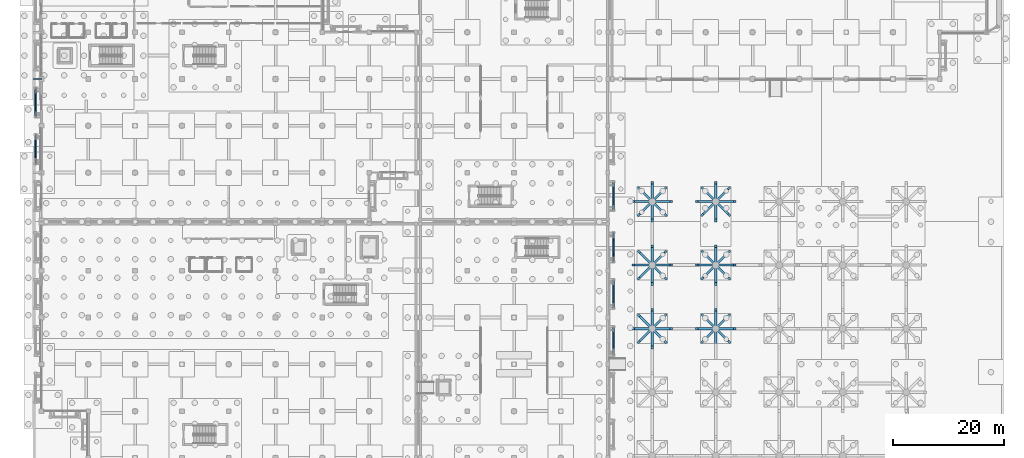
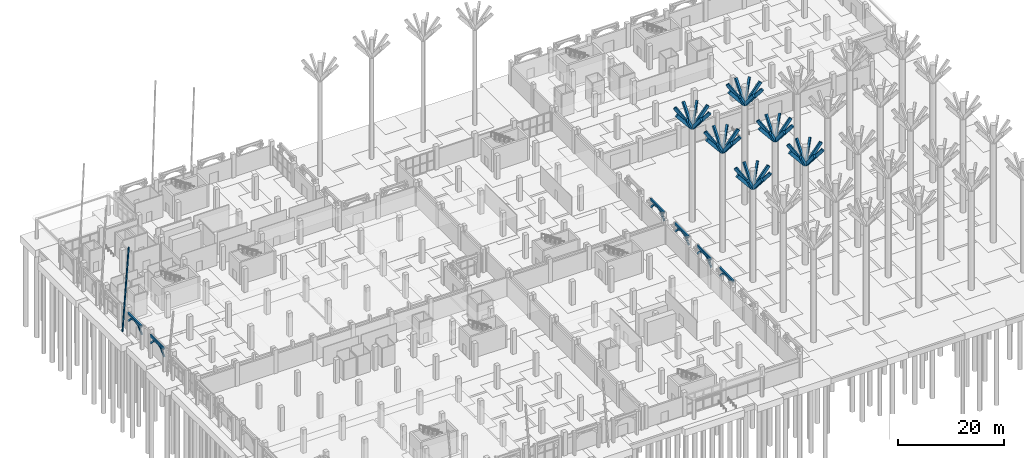
# One storey, part 26 of 98: 72 members, 6 beams.
"""IFC4 building model written with IfcOpenShell, lengths in metres."""

from ifc_helpers import new_model, si_unit, direction, frame, origin, origin_2d, place, context, subcontext, project, spatial, rectangle, hollow_rectangle, extrude, material, material_profile, profile_set, type_object, element, save


model = new_model("IFC4")

# Units and contexts
model_context = context("Model", 3, precision=1e-05, world=origin(), true_north=direction((0.0, 1.0)))
body_context = subcontext(model_context, "Body", "Model", "MODEL_VIEW")
ifc_project = project(units=[si_unit("LENGTHUNIT", "METRE"), si_unit("AREAUNIT", "SQUARE_METRE"), si_unit("VOLUMEUNIT", "CUBIC_METRE"), si_unit("PLANEANGLEUNIT", "RADIAN"), si_unit("MASSUNIT", "GRAM", prefix="KILO")], contexts=[model_context])

# Site, building, storey
site_placement = place(None, origin())
site = spatial("IfcSite", under=ifc_project, at=site_placement, CompositionType="ELEMENT")
building_placement = place(site_placement, origin())
building = spatial("IfcBuilding", under=site, at=building_placement, Name="Xazarin Passage Department Store", CompositionType="ELEMENT")
storey_placement = place(building_placement, origin())
storey = spatial("IfcBuildingStorey", under=building, at=storey_placement, Name="L00", CompositionType="ELEMENT", Elevation=0.0)

# Beams
ifc_material_1 = material(Name="Concrete C35/45", Category="concrete")
ifc_material_profile_1 = material_profile(ifc_material_1, rectangle(XDim=0.300048828125, YDim=0.5, at=origin_2d()), Name="RC 300x500")
ifc_profile_set_1 = profile_set([ifc_material_profile_1], Name="Concrete C35/45")
beam_type = type_object("IfcBeamType", Name="STR-BM-LN300x500", PredefinedType="LINTEL", material=ifc_profile_set_1)
for number, where, z_axis, x_axis, name in (
    (1, (-1.050048828125, 61.219970703125, 5.14990234375), (0.0, 1.0, 0.0), (-1.0, 0.0, 0.0), "L00 V1 Colonnade Spandrel Beam 009"),
    (2, (-1.050048828125, 69.6201171875, 5.14990234375), (0.0, 1.0, 0.0), (-1.0, 0.0, 0.0), "L00 V1 Colonnade Spandrel Beam 010"),
    (3, (102.64990234375, 26.820068359375, 5.14990234375), (0.0, 1.0, 0.0), (-1.0, 0.0, 0.0), "L00 V2S Colonnade Spandrel Beam 021"),
    (4, (102.64990234375, 35.219970703125, 5.14990234375), (0.0, 1.0, 0.0), (-1.0, 0.0, 0.0), "L00 V2S Colonnade Spandrel Beam 022"),
    (5, (102.64990234375, 43.6201171875, 5.14990234375), (0.0, 1.0, 0.0), (-1.0, 0.0, 0.0), "L00 V2S Colonnade Spandrel Beam 023"),
    (6, (102.64990234375, 52.820068359375, 5.14990234375), (0.0, 1.0, 0.0), (-1.0, 0.0, 0.0), "L00 V2N Colonnade Spandrel Beam 024"),
):
    element("IfcBeam", number, at=place(storey_placement, frame(where, z_axis=z_axis, x_axis=x_axis)), inside=storey, type_object=beam_type, Name=name, PredefinedType="LINTEL", context=body_context, shape_type="SweptSolid", body=[
        extrude(rectangle(XDim=0.300048828125, YDim=0.5, at=origin_2d()), origin(), (0.0, 0.0, 1.0), 5.159912109375),
    ])

# Members
ifc_material_2 = material(Name="Concrete C40/50", Category="concrete")
ifc_material_profile_2 = material_profile(ifc_material_2, rectangle(XDim=0.199951171875, YDim=0.360107421875, at=origin_2d()), Name="RC 200x360")
ifc_profile_set_2 = profile_set([ifc_material_profile_2], Name="Concrete C40/50")
member_type_1 = type_object("IfcMemberType", Name="STR-MEM-ARC360", PredefinedType="CHORD", material=ifc_profile_set_2)
member_1_placement = place(storey_placement, frame((-1.050048828125, 61.219970703125, 3.330078125), z_axis=(0.0, 0.693460080602, 0.720495049679), x_axis=(-1.0, 0.0, 0.0)))
element("IfcMember", 7, at=member_1_placement, inside=storey, type_object=member_type_1, Name="L00 V1 Pierced Lattice Curved Arch 009.1", PredefinedType="CHORD", context=body_context, shape_type="SweptSolid", body=[
    extrude(rectangle(XDim=0.199951171875, YDim=0.360107421875, at=origin_2d()), origin(), (0.0, 0.0, 1.0), 1.8603515625),
])
for number, where, z_axis, x_axis, name in (
    (8, (-1.050048828125, 62.510009765625, 4.67041015625), (0.0, 0.972393983317, 0.233345111818), (-1.0, 0.0, 0.0), "L00 V1 Pierced Lattice Curved Arch 009.2"),
    (9, (-1.050048828125, 63.800048828125, 4.97998046875), (0.0, 0.972393983317, -0.233345111818), (-1.0, 0.0, 0.0), "L00 V1 Pierced Lattice Curved Arch 009.3"),
):
    element("IfcMember", number, at=place(storey_placement, frame(where, z_axis=z_axis, x_axis=x_axis)), inside=storey, type_object=member_type_1, Name=name, PredefinedType="CHORD", context=body_context, shape_type="SweptSolid", body=[
        extrude(rectangle(XDim=0.199951171875, YDim=0.360107421875, at=origin_2d()), origin(), (0.0, 0.0, 1.0), 1.32666015625),
    ])
for number, where, z_axis, x_axis, name in (
    (10, (-1.050048828125, 65.090087890625, 4.67041015625), (0.0, 0.693391944082, -0.720560623322), (-1.0, 0.0, 0.0), "L00 V1 Pierced Lattice Curved Arch 009.4"),
    (11, (-1.050048828125, 69.6201171875, 3.330078125), (0.0, 0.693391944082, 0.720560623322), (-1.0, 0.0, 0.0), "L00 V1 Pierced Lattice Curved Arch 010.1"),
):
    element("IfcMember", number, at=place(storey_placement, frame(where, z_axis=z_axis, x_axis=x_axis)), inside=storey, type_object=member_type_1, Name=name, PredefinedType="CHORD", context=body_context, shape_type="SweptSolid", body=[
        extrude(rectangle(XDim=0.199951171875, YDim=0.360107421875, at=origin_2d()), origin(), (0.0, 0.0, 1.0), 1.860107421875),
    ])
for number, where, z_axis, x_axis, name in (
    (12, (-1.050048828125, 70.909912109375, 4.67041015625), (0.0, 0.972393983317, 0.233345111818), (-1.0, 0.0, 0.0), "L00 V1 Pierced Lattice Curved Arch 010.2"),
    (13, (-1.050048828125, 72.199951171875, 4.97998046875), (0.0, 0.972393983317, -0.233345111818), (-1.0, 0.0, 0.0), "L00 V1 Pierced Lattice Curved Arch 010.3"),
):
    element("IfcMember", number, at=place(storey_placement, frame(where, z_axis=z_axis, x_axis=x_axis)), inside=storey, type_object=member_type_1, Name=name, PredefinedType="CHORD", context=body_context, shape_type="SweptSolid", body=[
        extrude(rectangle(XDim=0.199951171875, YDim=0.360107421875, at=origin_2d()), origin(), (0.0, 0.0, 1.0), 1.32666015625),
    ])
member_2_placement = place(storey_placement, frame((-1.050048828125, 73.489990234375, 4.67041015625), z_axis=(0.0, 0.693460080602, -0.720495049679), x_axis=(-1.0, 0.0, 0.0)))
element("IfcMember", 14, at=member_2_placement, inside=storey, type_object=member_type_1, Name="L00 V1 Pierced Lattice Curved Arch 010.4", PredefinedType="CHORD", context=body_context, shape_type="SweptSolid", body=[
    extrude(rectangle(XDim=0.199951171875, YDim=0.360107421875, at=origin_2d()), origin(), (0.0, 0.0, 1.0), 1.8603515625),
])
member_3_placement = place(storey_placement, frame((102.64990234375, 28.110107421875, 4.67041015625), z_axis=(0.0, 0.972383960415, 0.233386875224), x_axis=(-1.0, 0.0, 0.0)))
element("IfcMember", 15, at=member_3_placement, inside=storey, type_object=member_type_1, Name="L00 V2S Pierced Lattice Curved Arch 021.2", PredefinedType="CHORD", context=body_context, shape_type="SweptSolid", body=[
    extrude(rectangle(XDim=0.199951171875, YDim=0.360107421875, at=origin_2d()), origin(), (0.0, 0.0, 1.0), 1.326416015625),
])
member_4_placement = place(storey_placement, frame((102.64990234375, 29.39990234375, 4.97998046875), z_axis=(0.0, 0.972393983317, -0.233345111818), x_axis=(-1.0, 0.0, 0.0)))
element("IfcMember", 16, at=member_4_placement, inside=storey, type_object=member_type_1, Name="L00 V2S Pierced Lattice Curved Arch 021.3", PredefinedType="CHORD", context=body_context, shape_type="SweptSolid", body=[
    extrude(rectangle(XDim=0.199951171875, YDim=0.360107421875, at=origin_2d()), origin(), (0.0, 0.0, 1.0), 1.32666015625),
])
for number, where, z_axis, x_axis, name in (
    (17, (102.64990234375, 30.68994140625, 4.67041015625), (0.0, 0.693460080602, -0.720495049679), (-1.0, 0.0, 0.0), "L00 V2S Pierced Lattice Curved Arch 021.4"),
    (18, (102.64990234375, 35.219970703125, 3.330078125), (0.0, 0.693460080602, 0.720495049679), (-1.0, 0.0, 0.0), "L00 V2S Pierced Lattice Curved Arch 022.1"),
):
    element("IfcMember", number, at=place(storey_placement, frame(where, z_axis=z_axis, x_axis=x_axis)), inside=storey, type_object=member_type_1, Name=name, PredefinedType="CHORD", context=body_context, shape_type="SweptSolid", body=[
        extrude(rectangle(XDim=0.199951171875, YDim=0.360107421875, at=origin_2d()), origin(), (0.0, 0.0, 1.0), 1.8603515625),
    ])
for number, where, z_axis, x_axis, name in (
    (19, (102.64990234375, 36.510009765625, 4.67041015625), (0.0, 0.972393983317, 0.233345111818), (-1.0, 0.0, 0.0), "L00 V2S Pierced Lattice Curved Arch 022.2"),
    (20, (102.64990234375, 37.800048828125, 4.97998046875), (0.0, 0.972393983317, -0.233345111818), (-1.0, 0.0, 0.0), "L00 V2S Pierced Lattice Curved Arch 022.3"),
):
    element("IfcMember", number, at=place(storey_placement, frame(where, z_axis=z_axis, x_axis=x_axis)), inside=storey, type_object=member_type_1, Name=name, PredefinedType="CHORD", context=body_context, shape_type="SweptSolid", body=[
        extrude(rectangle(XDim=0.199951171875, YDim=0.360107421875, at=origin_2d()), origin(), (0.0, 0.0, 1.0), 1.32666015625),
    ])
for number, where, z_axis, x_axis, name in (
    (21, (102.64990234375, 39.090087890625, 4.67041015625), (0.0, 0.693391944082, -0.720560623322), (-1.0, 0.0, 0.0), "L00 V2S Pierced Lattice Curved Arch 022.4"),
    (22, (102.64990234375, 43.6201171875, 3.330078125), (0.0, 0.693391944082, 0.720560623322), (-1.0, 0.0, 0.0), "L00 V2S Pierced Lattice Curved Arch 023.1"),
):
    element("IfcMember", number, at=place(storey_placement, frame(where, z_axis=z_axis, x_axis=x_axis)), inside=storey, type_object=member_type_1, Name=name, PredefinedType="CHORD", context=body_context, shape_type="SweptSolid", body=[
        extrude(rectangle(XDim=0.199951171875, YDim=0.360107421875, at=origin_2d()), origin(), (0.0, 0.0, 1.0), 1.860107421875),
    ])
for number, where, z_axis, x_axis, name in (
    (23, (102.64990234375, 44.909912109375, 4.67041015625), (0.0, 0.972393983317, 0.233345111818), (-1.0, 0.0, 0.0), "L00 V2S Pierced Lattice Curved Arch 023.2"),
    (24, (102.64990234375, 46.199951171875, 4.97998046875), (0.0, 0.972393983317, -0.233345111818), (-1.0, 0.0, 0.0), "L00 V2S Pierced Lattice Curved Arch 023.3"),
):
    element("IfcMember", number, at=place(storey_placement, frame(where, z_axis=z_axis, x_axis=x_axis)), inside=storey, type_object=member_type_1, Name=name, PredefinedType="CHORD", context=body_context, shape_type="SweptSolid", body=[
        extrude(rectangle(XDim=0.199951171875, YDim=0.360107421875, at=origin_2d()), origin(), (0.0, 0.0, 1.0), 1.32666015625),
    ])
for number, where, z_axis, x_axis, name in (
    (25, (102.64990234375, 47.489990234375, 4.67041015625), (0.0, 0.693460080602, -0.720495049679), (-1.0, 0.0, 0.0), "L00 V2S Pierced Lattice Curved Arch 023.4"),
    (26, (102.64990234375, 52.820068359375, 3.330078125), (0.0, 0.693460080602, 0.720495049679), (-1.0, 0.0, 0.0), "L00 V2N Pierced Lattice Curved Arch 024.1"),
):
    element("IfcMember", number, at=place(storey_placement, frame(where, z_axis=z_axis, x_axis=x_axis)), inside=storey, type_object=member_type_1, Name=name, PredefinedType="CHORD", context=body_context, shape_type="SweptSolid", body=[
        extrude(rectangle(XDim=0.199951171875, YDim=0.360107421875, at=origin_2d()), origin(), (0.0, 0.0, 1.0), 1.8603515625),
    ])
member_5_placement = place(storey_placement, frame((102.64990234375, 54.110107421875, 4.67041015625), z_axis=(0.0, 0.972383960415, 0.233386875224), x_axis=(-1.0, 0.0, 0.0)))
element("IfcMember", 27, at=member_5_placement, inside=storey, type_object=member_type_1, Name="L00 V2N Pierced Lattice Curved Arch 024.2", PredefinedType="CHORD", context=body_context, shape_type="SweptSolid", body=[
    extrude(rectangle(XDim=0.199951171875, YDim=0.360107421875, at=origin_2d()), origin(), (0.0, 0.0, 1.0), 1.326416015625),
])
member_6_placement = place(storey_placement, frame((102.64990234375, 55.39990234375, 4.97998046875), z_axis=(0.0, 0.972393983317, -0.233345111818), x_axis=(-1.0, 0.0, 0.0)))
element("IfcMember", 28, at=member_6_placement, inside=storey, type_object=member_type_1, Name="L00 V2N Pierced Lattice Curved Arch 024.3", PredefinedType="CHORD", context=body_context, shape_type="SweptSolid", body=[
    extrude(rectangle(XDim=0.199951171875, YDim=0.360107421875, at=origin_2d()), origin(), (0.0, 0.0, 1.0), 1.32666015625),
])
member_7_placement = place(storey_placement, frame((102.64990234375, 56.68994140625, 4.67041015625), z_axis=(0.0, 0.693460080602, -0.720495049679), x_axis=(-1.0, 0.0, 0.0)))
element("IfcMember", 29, at=member_7_placement, inside=storey, type_object=member_type_1, Name="L00 V2N Pierced Lattice Curved Arch 024.4", PredefinedType="CHORD", context=body_context, shape_type="SweptSolid", body=[
    extrude(rectangle(XDim=0.199951171875, YDim=0.360107421875, at=origin_2d()), origin(), (0.0, 0.0, 1.0), 1.8603515625),
])
ifc_material_3 = material(Name="Steel S355", Category="steel")
ifc_material_profile_3 = material_profile(ifc_material_3, hollow_rectangle(XDim=0.25, YDim=0.25, WallThickness=0.012451171875, at=origin_2d()), Name="SHS 250x250x12.5")
ifc_profile_set_3 = profile_set([ifc_material_profile_3], Name="Steel S355")
member_type_2 = type_object("IfcMemberType", Name="STR-MEM-SHS250", PredefinedType="BRACE", material=ifc_profile_set_3)
member_8_placement = place(storey_placement, frame((-1.35009765625, 76.39990234375, 0.030029296875), z_axis=(0.071365357411, 0.0, 0.997450242249), x_axis=(0.0, 1.0, 0.0)))
element("IfcMember", 30, at=member_8_placement, inside=storey, type_object=member_type_2, Name="Sculpted Raked Concrete Buttress BUT-V1-W2", PredefinedType="BRACE", context=body_context, shape_type="SweptSolid", body=[
    extrude(hollow_rectangle(XDim=0.25, YDim=0.25, WallThickness=0.012451171875, at=origin_2d()), origin(), (0.0, 0.0, 1.0), 18.918212890625),
])
ifc_material_profile_4 = material_profile(ifc_material_2, rectangle(XDim=0.39990234375, YDim=0.64990234375, at=origin_2d()), Name="RC 400x650")
ifc_profile_set_4 = profile_set([ifc_material_profile_4], Name="Concrete C40/50")
member_type_3 = type_object("IfcMemberType", Name="STR-MEM-UMB400", PredefinedType="BRACE", material=ifc_profile_set_4)
for number, where, z_axis, x_axis, name in (
    (31, (109.820068359375, 31.60009765625, 21.3798828125), (0.634369600905, 0.0, 0.773029889103), (0.0, 1.0, 0.0), "Umbrella UM15 Flared Sculptural Capital Strut E"),
    (32, (109.3798828125, 31.60009765625, 21.3798828125), (-0.634369600905, 0.0, 0.773029889103), (0.0, -1.0, 0.0), "Umbrella UM15 Flared Sculptural Capital Strut W"),
    (33, (109.60009765625, 31.820068359375, 21.3798828125), (0.0, 0.634369600905, 0.773029889103), (-1.0, 0.0, 0.0), "Umbrella UM15 Flared Sculptural Capital Strut N"),
    (34, (109.60009765625, 31.3798828125, 21.3798828125), (0.0, -0.634369600905, 0.773029889103), (1.0, 0.0, 0.0), "Umbrella UM15 Flared Sculptural Capital Strut S"),
    (35, (109.755615234375, 31.755615234375, 21.3798828125), (0.448565130781, 0.448565130781, 0.77303211246), (-0.707106781187, 0.707106781187, 0.0), "Umbrella UM15 Flared Sculptural Capital Strut NE"),
    (36, (109.4443359375, 31.755615234375, 21.3798828125), (-0.448565130781, 0.448565130781, 0.77303211246), (-0.707106781187, -0.707106781187, 0.0), "Umbrella UM15 Flared Sculptural Capital Strut NW"),
    (37, (109.755615234375, 31.4443359375, 21.3798828125), (0.448565130781, -0.448565130781, 0.77303211246), (0.707106781187, 0.707106781187, 0.0), "Umbrella UM15 Flared Sculptural Capital Strut SE"),
    (38, (109.4443359375, 31.4443359375, 21.3798828125), (-0.448565130781, -0.448565130781, 0.77303211246), (0.707106781187, -0.707106781187, 0.0), "Umbrella UM15 Flared Sculptural Capital Strut SW"),
    (39, (121.219970703125, 31.60009765625, 22.780029296875), (0.634369600905, 0.0, 0.773029889103), (0.0, 1.0, 0.0), "Umbrella UM16 Flared Sculptural Capital Strut E"),
    (40, (120.780029296875, 31.60009765625, 22.780029296875), (-0.634369600905, 0.0, 0.773029889103), (0.0, -1.0, 0.0), "Umbrella UM16 Flared Sculptural Capital Strut W"),
    (41, (121.0, 31.820068359375, 22.780029296875), (0.0, 0.634369600905, 0.773029889103), (-1.0, 0.0, 0.0), "Umbrella UM16 Flared Sculptural Capital Strut N"),
    (42, (121.0, 31.3798828125, 22.780029296875), (0.0, -0.634369600905, 0.773029889103), (1.0, 0.0, 0.0), "Umbrella UM16 Flared Sculptural Capital Strut S"),
):
    element("IfcMember", number, at=place(storey_placement, frame(where, z_axis=z_axis, x_axis=x_axis)), inside=storey, type_object=member_type_3, Name=name, PredefinedType="BRACE", context=body_context, shape_type="SweptSolid", body=[
        extrude(rectangle(XDim=0.39990234375, YDim=0.64990234375, at=origin_2d()), origin(), (0.0, 0.0, 1.0), 5.0126953125),
    ])
for number, where, z_axis, x_axis, name in (
    (43, (121.155517578125, 31.755615234375, 22.780029296875), (0.448604033853, 0.448555330777, 0.77301522368), (-0.707068394238, 0.707145166051, 0.0), "Umbrella UM16 Flared Sculptural Capital Strut NE"),
    (44, (120.844482421875, 31.755615234375, 22.780029296875), (-0.448604033853, 0.448555330777, 0.77301522368), (-0.707068394238, -0.707145166051, 0.0), "Umbrella UM16 Flared Sculptural Capital Strut NW"),
    (45, (121.155517578125, 31.4443359375, 22.780029296875), (0.448604033853, -0.448555330777, 0.77301522368), (0.707068394238, 0.707145166051, 0.0), "Umbrella UM16 Flared Sculptural Capital Strut SE"),
    (46, (120.844482421875, 31.4443359375, 22.780029296875), (-0.448604033853, -0.448555330777, 0.77301522368), (0.707068394238, -0.707145166051, 0.0), "Umbrella UM16 Flared Sculptural Capital Strut SW"),
):
    element("IfcMember", number, at=place(storey_placement, frame(where, z_axis=z_axis, x_axis=x_axis)), inside=storey, type_object=member_type_3, Name=name, PredefinedType="BRACE", context=body_context, shape_type="SweptSolid", body=[
        extrude(rectangle(XDim=0.39990234375, YDim=0.64990234375, at=origin_2d()), origin(), (0.0, 0.0, 1.0), 5.012939453125),
    ])
for number, where, z_axis, x_axis, name in (
    (47, (109.820068359375, 43.0, 22.780029296875), (0.634369600905, 0.0, 0.773029889103), (0.0, 1.0, 0.0), "Umbrella UM20 Flared Sculptural Capital Strut E"),
    (48, (109.3798828125, 43.0, 22.780029296875), (-0.634369600905, 0.0, 0.773029889103), (0.0, -1.0, 0.0), "Umbrella UM20 Flared Sculptural Capital Strut W"),
    (49, (109.60009765625, 43.219970703125, 22.780029296875), (0.0, 0.634369600905, 0.773029889103), (-1.0, 0.0, 0.0), "Umbrella UM20 Flared Sculptural Capital Strut N"),
    (50, (109.60009765625, 42.780029296875, 22.780029296875), (0.0, -0.634369600905, 0.773029889103), (1.0, 0.0, 0.0), "Umbrella UM20 Flared Sculptural Capital Strut S"),
):
    element("IfcMember", number, at=place(storey_placement, frame(where, z_axis=z_axis, x_axis=x_axis)), inside=storey, type_object=member_type_3, Name=name, PredefinedType="BRACE", context=body_context, shape_type="SweptSolid", body=[
        extrude(rectangle(XDim=0.39990234375, YDim=0.64990234375, at=origin_2d()), origin(), (0.0, 0.0, 1.0), 5.0126953125),
    ])
for number, where, z_axis, x_axis, name in (
    (51, (109.755615234375, 43.155517578125, 22.780029296875), (0.448555330777, 0.448604033853, 0.77301522368), (-0.707145166051, 0.707068394238, 0.0), "Umbrella UM20 Flared Sculptural Capital Strut NE"),
    (52, (109.4443359375, 43.155517578125, 22.780029296875), (-0.448555330777, 0.448604033853, 0.77301522368), (-0.707145166051, -0.707068394238, 0.0), "Umbrella UM20 Flared Sculptural Capital Strut NW"),
    (53, (109.755615234375, 42.844482421875, 22.780029296875), (0.448555330777, -0.448604033853, 0.77301522368), (0.707145166051, 0.707068394238, 0.0), "Umbrella UM20 Flared Sculptural Capital Strut SE"),
    (54, (109.4443359375, 42.844482421875, 22.780029296875), (-0.448555330777, -0.448604033853, 0.77301522368), (0.707145166051, -0.707068394238, 0.0), "Umbrella UM20 Flared Sculptural Capital Strut SW"),
):
    element("IfcMember", number, at=place(storey_placement, frame(where, z_axis=z_axis, x_axis=x_axis)), inside=storey, type_object=member_type_3, Name=name, PredefinedType="BRACE", context=body_context, shape_type="SweptSolid", body=[
        extrude(rectangle(XDim=0.39990234375, YDim=0.64990234375, at=origin_2d()), origin(), (0.0, 0.0, 1.0), 5.012939453125),
    ])
for number, where, z_axis, x_axis, name in (
    (55, (121.219970703125, 43.0, 21.3798828125), (0.634369600905, 0.0, 0.773029889103), (0.0, 1.0, 0.0), "Umbrella UM21 Flared Sculptural Capital Strut E"),
    (56, (120.780029296875, 43.0, 21.3798828125), (-0.634369600905, 0.0, 0.773029889103), (0.0, -1.0, 0.0), "Umbrella UM21 Flared Sculptural Capital Strut W"),
    (57, (121.0, 43.219970703125, 21.3798828125), (0.0, 0.634369600905, 0.773029889103), (-1.0, 0.0, 0.0), "Umbrella UM21 Flared Sculptural Capital Strut N"),
    (58, (121.0, 42.780029296875, 21.3798828125), (0.0, -0.634369600905, 0.773029889103), (1.0, 0.0, 0.0), "Umbrella UM21 Flared Sculptural Capital Strut S"),
):
    element("IfcMember", number, at=place(storey_placement, frame(where, z_axis=z_axis, x_axis=x_axis)), inside=storey, type_object=member_type_3, Name=name, PredefinedType="BRACE", context=body_context, shape_type="SweptSolid", body=[
        extrude(rectangle(XDim=0.39990234375, YDim=0.64990234375, at=origin_2d()), origin(), (0.0, 0.0, 1.0), 5.0126953125),
    ])
for number, where, z_axis, x_axis, name in (
    (59, (121.155517578125, 43.155517578125, 21.3798828125), (0.448594233428, 0.448594233428, 0.772998336008), (-0.707106781187, 0.707106781187, 0.0), "Umbrella UM21 Flared Sculptural Capital Strut NE"),
    (60, (120.844482421875, 43.155517578125, 21.3798828125), (-0.448594233428, 0.448594233428, 0.772998336008), (-0.707106781187, -0.707106781187, 0.0), "Umbrella UM21 Flared Sculptural Capital Strut NW"),
    (61, (121.155517578125, 42.844482421875, 21.3798828125), (0.448594233428, -0.448594233428, 0.772998336008), (0.707106781187, 0.707106781187, 0.0), "Umbrella UM21 Flared Sculptural Capital Strut SE"),
    (62, (120.844482421875, 42.844482421875, 21.3798828125), (-0.448594233428, -0.448594233428, 0.772998336008), (0.707106781187, -0.707106781187, 0.0), "Umbrella UM21 Flared Sculptural Capital Strut SW"),
):
    element("IfcMember", number, at=place(storey_placement, frame(where, z_axis=z_axis, x_axis=x_axis)), inside=storey, type_object=member_type_3, Name=name, PredefinedType="BRACE", context=body_context, shape_type="SweptSolid", body=[
        extrude(rectangle(XDim=0.39990234375, YDim=0.64990234375, at=origin_2d()), origin(), (0.0, 0.0, 1.0), 5.012939453125),
    ])
for number, where, z_axis, x_axis, name in (
    (63, (109.820068359375, 54.39990234375, 21.3798828125), (0.634369600905, 0.0, 0.773029889103), (0.0, 1.0, 0.0), "Umbrella UM25 Flared Sculptural Capital Strut E"),
    (64, (109.3798828125, 54.39990234375, 21.3798828125), (-0.634369600905, 0.0, 0.773029889103), (0.0, -1.0, 0.0), "Umbrella UM25 Flared Sculptural Capital Strut W"),
    (65, (109.60009765625, 54.6201171875, 21.3798828125), (0.0, 0.634369600905, 0.773029889103), (-1.0, 0.0, 0.0), "Umbrella UM25 Flared Sculptural Capital Strut N"),
    (66, (109.60009765625, 54.179931640625, 21.3798828125), (0.0, -0.634369600905, 0.773029889103), (1.0, 0.0, 0.0), "Umbrella UM25 Flared Sculptural Capital Strut S"),
    (67, (109.755615234375, 54.5556640625, 21.3798828125), (0.448565130781, 0.448565130781, 0.77303211246), (-0.707106781187, 0.707106781187, 0.0), "Umbrella UM25 Flared Sculptural Capital Strut NE"),
    (68, (109.4443359375, 54.5556640625, 21.3798828125), (-0.448565130781, 0.448565130781, 0.77303211246), (-0.707106781187, -0.707106781187, 0.0), "Umbrella UM25 Flared Sculptural Capital Strut NW"),
    (69, (109.755615234375, 54.244384765625, 21.3798828125), (0.448565130781, -0.448565130781, 0.77303211246), (0.707106781187, 0.707106781187, 0.0), "Umbrella UM25 Flared Sculptural Capital Strut SE"),
    (70, (109.4443359375, 54.244384765625, 21.3798828125), (-0.448565130781, -0.448565130781, 0.77303211246), (0.707106781187, -0.707106781187, 0.0), "Umbrella UM25 Flared Sculptural Capital Strut SW"),
    (71, (121.219970703125, 54.39990234375, 22.780029296875), (0.634369600905, 0.0, 0.773029889103), (0.0, 1.0, 0.0), "Umbrella UM26 Flared Sculptural Capital Strut E"),
    (72, (120.780029296875, 54.39990234375, 22.780029296875), (-0.634369600905, 0.0, 0.773029889103), (0.0, -1.0, 0.0), "Umbrella UM26 Flared Sculptural Capital Strut W"),
    (73, (121.0, 54.6201171875, 22.780029296875), (0.0, 0.634369600905, 0.773029889103), (-1.0, 0.0, 0.0), "Umbrella UM26 Flared Sculptural Capital Strut N"),
    (74, (121.0, 54.179931640625, 22.780029296875), (0.0, -0.634369600905, 0.773029889103), (1.0, 0.0, 0.0), "Umbrella UM26 Flared Sculptural Capital Strut S"),
):
    element("IfcMember", number, at=place(storey_placement, frame(where, z_axis=z_axis, x_axis=x_axis)), inside=storey, type_object=member_type_3, Name=name, PredefinedType="BRACE", context=body_context, shape_type="SweptSolid", body=[
        extrude(rectangle(XDim=0.39990234375, YDim=0.64990234375, at=origin_2d()), origin(), (0.0, 0.0, 1.0), 5.0126953125),
    ])
for number, where, z_axis, x_axis, name in (
    (75, (121.155517578125, 54.5556640625, 22.780029296875), (0.448604033853, 0.448555330777, 0.77301522368), (-0.707068394238, 0.707145166051, 0.0), "Umbrella UM26 Flared Sculptural Capital Strut NE"),
    (76, (120.844482421875, 54.5556640625, 22.780029296875), (-0.448604033853, 0.448555330777, 0.77301522368), (-0.707068394238, -0.707145166051, 0.0), "Umbrella UM26 Flared Sculptural Capital Strut NW"),
    (77, (121.155517578125, 54.244384765625, 22.780029296875), (0.448604033853, -0.448555330777, 0.77301522368), (0.707068394238, 0.707145166051, 0.0), "Umbrella UM26 Flared Sculptural Capital Strut SE"),
    (78, (120.844482421875, 54.244384765625, 22.780029296875), (-0.448604033853, -0.448555330777, 0.77301522368), (0.707068394238, -0.707145166051, 0.0), "Umbrella UM26 Flared Sculptural Capital Strut SW"),
):
    element("IfcMember", number, at=place(storey_placement, frame(where, z_axis=z_axis, x_axis=x_axis)), inside=storey, type_object=member_type_3, Name=name, PredefinedType="BRACE", context=body_context, shape_type="SweptSolid", body=[
        extrude(rectangle(XDim=0.39990234375, YDim=0.64990234375, at=origin_2d()), origin(), (0.0, 0.0, 1.0), 5.012939453125),
    ])

save(model, "model.ifc")
